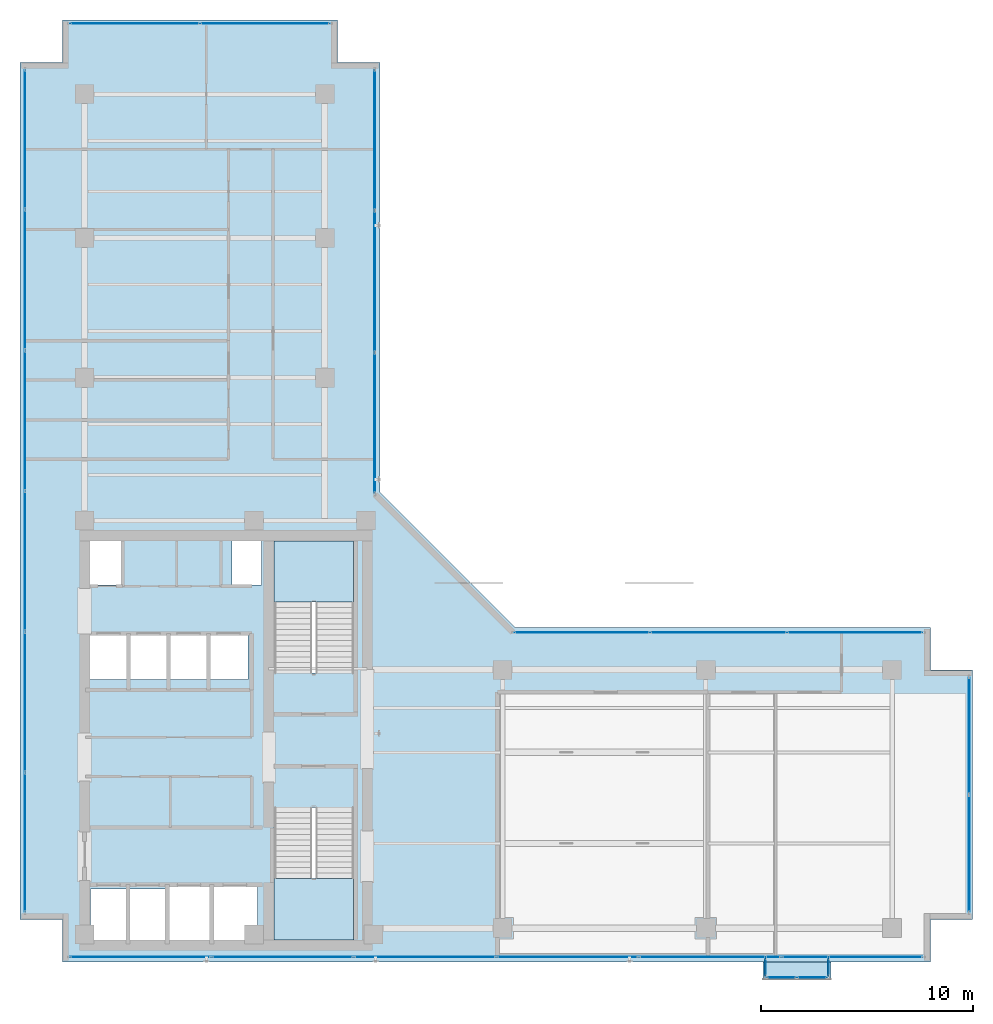
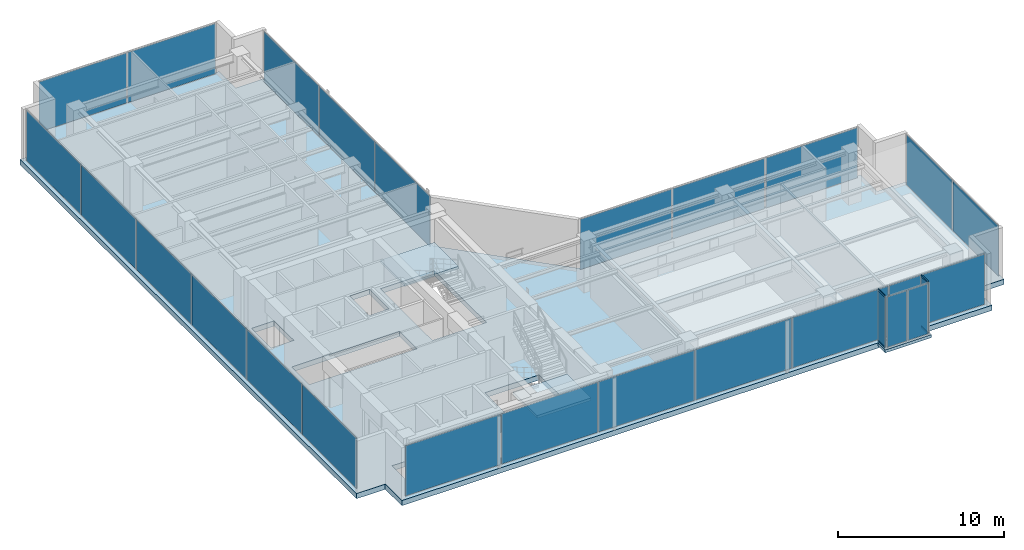
# One storey, part 24 of 32: 26 plates, 4 members, 4 slabs, 11 elements without a shape of their own.
"""IFC4 building model written with IfcOpenShell, lengths in metres."""

from ifc_helpers import new_model, si_unit, direction, frame, origin, origin_with_axes, origin_2d, place, context, subcontext, project, spatial, polyline, rectangle, hollow_rectangle, outline, extrude, source, transform, mapped, material, layer, layer_set, material_profile, profile_set, type_object, element, aggregate, save


model = new_model("IFC4")

# Units and contexts
model_context = context("Model", 3, precision=1e-05, world=origin(), true_north=direction((0.0, 1.0)))
body_context = subcontext(model_context, "Body", "Model", "MODEL_VIEW")
ifc_project = project(units=[si_unit("LENGTHUNIT", "METRE"), si_unit("AREAUNIT", "SQUARE_METRE"), si_unit("VOLUMEUNIT", "CUBIC_METRE"), si_unit("PLANEANGLEUNIT", "RADIAN"), si_unit("MASSUNIT", "GRAM", prefix="KILO")], contexts=[model_context])

# Site, building, storey
site_placement = place(None, origin())
site = spatial("IfcSite", under=ifc_project, at=site_placement, CompositionType="ELEMENT")
building_placement = place(site_placement, origin())
building = spatial("IfcBuilding", under=site, at=building_placement, Name="Kolvaren Waterfront Exchange", CompositionType="ELEMENT")
storey_placement = place(building_placement, frame((0.0, 0.0, 352.0)))
storey = spatial("IfcBuildingStorey", under=building, at=storey_placement, Name="L90", CompositionType="ELEMENT", Elevation=352.0)

# Curtain wall, members
ifc_material_1 = material(Name="Anodised bronze aluminium 6063-T6", Category="aluminium")
ifc_layer_1 = layer(ifc_material_1, 0.219970703125, Name="Anodised bronze aluminium 6063-T6")
ifc_layer_set_1 = layer_set([ifc_layer_1], Name="Anodised bronze aluminium 6063-T6")
curtain_wall_type_1 = type_object("IfcCurtainWallType", Name="ARC-CW-SYS3", PredefinedType="USERDEFINED", material=ifc_layer_set_1)
curtain_wall_1_placement = place(storey_placement, origin())
curtain_wall_1 = element("IfcCurtainWall", 1, at=curtain_wall_1_placement, inside=storey, type_object=curtain_wall_type_1, Name="L90 stick curtain wall CW3 (CW-L90-BOX-W)", ObjectType="STICK CURTAIN WALL", PredefinedType="USERDEFINED")
ifc_material_profile = material_profile(ifc_material_1, hollow_rectangle(XDim=0.06494140625, YDim=0.1298828125, WallThickness=0.00390625, at=origin_2d()), Name="ALU-TRN-130x65x4")
ifc_profile_set = profile_set([ifc_material_profile], Name="Anodised bronze aluminium 6063-T6")
member_type = type_object("IfcMemberType", Name="ARC-CWT-130", PredefinedType="USERDEFINED", material=ifc_profile_set)
shared_shape_1 = source(origin_with_axes(), body_context, "Body", "SweptSolid", [
    extrude(hollow_rectangle(XDim=0.06494140625, YDim=0.1298828125, WallThickness=0.00390625, at=origin_2d()), origin(), (0.0, 0.0, 1.0), 0.829833984375),
])
member_1_placement = place(storey_placement, frame((39.610107421875, 3.764892578125, 0.032470703125), z_axis=(0.0, -1.0, 0.0), x_axis=(1.0, 0.0, 0.0)))
member_1 = element("IfcMember", 2, at=member_1_placement, type_object=member_type, Name="CW3 transom 1.1", ObjectType="TRANSOM", PredefinedType="USERDEFINED", context=body_context, shape_type="MappedRepresentation", body=[
    mapped(shared_shape_1, transform((0.0, 0.0, 0.0), x_axis=(1.0, 0.0, 0.0), y_axis=(0.0, 1.0, 0.0), z_axis=(0.0, 0.0, 1.0), scale=1.0)),
])
member_2_placement = place(storey_placement, frame((39.610107421875, 3.764892578125, 3.78759765625), z_axis=(0.0, -1.0, 0.0), x_axis=(1.0, 0.0, 0.0)))
member_2 = element("IfcMember", 3, at=member_2_placement, type_object=member_type, Name="CW3 transom 1.2", ObjectType="TRANSOM", PredefinedType="USERDEFINED", context=body_context, shape_type="MappedRepresentation", body=[
    mapped(shared_shape_1, transform((0.0, 0.0, 0.0), x_axis=(1.0, 0.0, 0.0), y_axis=(0.0, 1.0, 0.0), z_axis=(0.0, 0.0, 1.0), scale=1.0)),
])

curtain_wall_2_placement = place(storey_placement, origin())
curtain_wall_2 = element("IfcCurtainWall", 4, at=curtain_wall_2_placement, inside=storey, type_object=curtain_wall_type_1, Name="L90 stick curtain wall CW3 (CW-L90-BOX-E)", ObjectType="STICK CURTAIN WALL", PredefinedType="USERDEFINED")
member_3_placement = place(storey_placement, frame((42.590087890625, 2.93505859375, 0.032470703125), z_axis=(0.0, 1.0, 0.0), x_axis=(-1.0, 0.0, 0.0)))
member_3 = element("IfcMember", 5, at=member_3_placement, type_object=member_type, Name="CW3 transom 1.1", ObjectType="TRANSOM", PredefinedType="USERDEFINED", context=body_context, shape_type="MappedRepresentation", body=[
    mapped(shared_shape_1, transform((0.0, 0.0, 0.0), x_axis=(1.0, 0.0, 0.0), y_axis=(0.0, 1.0, 0.0), z_axis=(0.0, 0.0, 1.0), scale=1.0)),
])
member_4_placement = place(storey_placement, frame((42.590087890625, 2.93505859375, 3.78759765625), z_axis=(0.0, 1.0, 0.0), x_axis=(-1.0, 0.0, 0.0)))
member_4 = element("IfcMember", 6, at=member_4_placement, type_object=member_type, Name="CW3 transom 1.2", ObjectType="TRANSOM", PredefinedType="USERDEFINED", context=body_context, shape_type="MappedRepresentation", body=[
    mapped(shared_shape_1, transform((0.0, 0.0, 0.0), x_axis=(1.0, 0.0, 0.0), y_axis=(0.0, 1.0, 0.0), z_axis=(0.0, 0.0, 1.0), scale=1.0)),
])

# Stair, slab
ifc_material_2 = material(Name="Concrete C40/50", Category="concrete")
stair_type = type_object("IfcStairType", Name="ARC-STAIR-4200", PredefinedType="HALF_TURN_STAIR", material=ifc_material_2)
stair_1_placement = place(storey_placement, origin())
stair_1 = element("IfcStair", 7, at=stair_1_placement, inside=storey, type_object=stair_type, Name="L90 Smoke-proof exit stair ST1", PredefinedType="HALF_TURN_STAIR")
ifc_layer_2 = layer(ifc_material_2, 0.199951171875, Name="Concrete C40/50")
ifc_layer_set_2 = layer_set([ifc_layer_2], Name="Concrete C40/50")
slab_type_1 = type_object("IfcSlabType", Name="STR-LANDING-200", PredefinedType="LANDING", material=ifc_layer_set_2)
slab_1_placement = place(storey_placement, frame((0.0, 0.0, 1.89990234375)))
slab_1 = element("IfcSlab", 8, at=slab_1_placement, type_object=slab_type_1, Name="ST1 landing 1", PredefinedType="LANDING", context=body_context, shape_type="SweptSolid", body=[
    extrude(outline(polyline([(16.39990234375, 7.550048828125), (16.39990234375, 4.64990234375), (20.159912109375, 4.64990234375), (20.159912109375, 7.550048828125), (16.39990234375, 7.550048828125)])), origin(), (0.0, 0.0, 1.0), 0.2001953125),
])
aggregate(stair_1, [slab_1])

stair_2_placement = place(storey_placement, origin())
stair_2 = element("IfcStair", 9, at=stair_2_placement, inside=storey, type_object=stair_type, Name="L90 Smoke-proof exit stair ST2", PredefinedType="HALF_TURN_STAIR")
slab_2_placement = place(storey_placement, frame((0.0, 0.0, 1.89990234375)))
slab_2 = element("IfcSlab", 10, at=slab_2_placement, type_object=slab_type_1, Name="ST2 landing 1", PredefinedType="LANDING", context=body_context, shape_type="SweptSolid", body=[
    extrude(outline(polyline([(20.159912109375, 20.60009765625), (20.159912109375, 23.5), (16.39990234375, 23.5), (16.39990234375, 20.60009765625), (20.159912109375, 20.60009765625)])), origin(), (0.0, 0.0, 1.0), 0.2001953125),
])
aggregate(stair_2, [slab_2])

# Slabs
ifc_layer_3 = layer(ifc_material_2, 0.3798828125, Name="Concrete C40/50")
ifc_layer_set_3 = layer_set([ifc_layer_3], Name="Concrete C40/50")
slab_type_2 = type_object("IfcSlabType", Name="STR-SLAB-380", PredefinedType="FLOOR", material=ifc_layer_set_3)
slab_3_placement = place(storey_placement, frame((0.0, 0.0, -0.3798828125)))
element("IfcSlab", 11, at=slab_3_placement, inside=storey, type_object=slab_type_2, Name="L90 structural floor slab", PredefinedType="FLOOR", context=body_context, shape_type="SweptSolid", body=[
    extrude(outline(polyline([(6.39990234375, 3.60009765625), (47.39990234375, 3.60009765625), (47.39990234375, 5.60009765625), (49.39990234375, 5.60009765625), (49.39990234375, 17.39990234375), (47.39990234375, 17.39990234375), (47.39990234375, 19.39990234375), (27.800048828125, 19.39990234375), (21.39990234375, 25.800048828125), (21.39990234375, 46.10009765625), (19.39990234375, 46.10009765625), (19.39990234375, 48.10009765625), (6.39990234375, 48.10009765625), (6.39990234375, 46.10009765625), (4.39990234375, 46.10009765625), (4.39990234375, 5.60009765625), (6.39990234375, 5.60009765625), (6.39990234375, 3.60009765625)]), holes=[polyline([(11.320068359375, 7.260009765625), (15.610107421875, 7.260009765625), (15.610107421875, 4.5400390625), (7.719970703125, 4.5400390625), (7.719970703125, 7.06005859375), (11.320068359375, 7.06005859375), (11.320068359375, 7.260009765625)]), polyline([(20.159912109375, 10.89990234375), (20.159912109375, 4.64990234375), (16.39990234375, 4.64990234375), (16.39990234375, 10.89990234375), (20.159912109375, 10.89990234375)]), polyline([(7.669921875, 19.06005859375), (15.159912109375, 19.06005859375), (15.159912109375, 16.93994140625), (7.669921875, 16.93994140625), (7.669921875, 19.06005859375)]), polyline([(16.39990234375, 17.25), (16.39990234375, 23.5), (20.159912109375, 23.5), (20.159912109375, 17.25), (16.39990234375, 17.25)]), polyline([(7.60009765625, 23.780029296875), (9.179931640625, 23.780029296875), (9.179931640625, 21.419921875), (7.60009765625, 21.419921875), (7.60009765625, 23.780029296875)]), polyline([(14.419921875, 23.780029296875), (15.800048828125, 23.780029296875), (15.800048828125, 21.419921875), (14.419921875, 21.419921875), (14.419921875, 23.780029296875)])]), origin(), (0.0, 0.0, 1.0), 0.3798828125),
])
ifc_layer_4 = layer(ifc_material_2, 0.219970703125, Name="Concrete C40/50")
ifc_layer_set_4 = layer_set([ifc_layer_4], Name="Concrete C40/50")
slab_type_3 = type_object("IfcSlabType", Name="STR-TERR-220", PredefinedType="FLOOR", material=ifc_layer_set_4)
slab_4_placement = place(storey_placement, frame((0.0, 0.0, -0.219970703125)))
element("IfcSlab", 12, at=slab_4_placement, inside=storey, type_object=slab_type_3, Name="L90 projecting bay-box floor strip", PredefinedType="FLOOR", context=body_context, shape_type="SweptSolid", body=[
    extrude(outline(polyline([(39.5, 2.75), (42.699951171875, 2.75), (42.699951171875, 3.60009765625), (39.5, 3.60009765625), (39.5, 2.75)])), origin(), (0.0, 0.0, 1.0), 0.219970703125),
])

# Plate
ifc_material_3 = material(Name="Bronze tinted bay-box vision glass", Category="aluminium")
ifc_layer_5 = layer(ifc_material_3, 0.02392578125, Name="Bronze tinted bay-box vision glass")
ifc_layer_set_5 = layer_set([ifc_layer_5], Name="Bronze tinted bay-box vision glass")
plate_type_1 = type_object("IfcPlateType", Name="ARC-CWP-24", PredefinedType="CURTAIN_PANEL", material=ifc_layer_set_5)
shared_shape_2 = source(origin_with_axes(), body_context, "Body", "SweptSolid", [
    extrude(rectangle(XDim=0.830078125, YDim=0.02392578125, at=origin_2d()), origin(), (0.0, 0.0, 1.0), 3.68994140625),
])
plate_1_placement = place(storey_placement, frame((39.610107421875, 3.35009765625, 0.06494140625), z_axis=(0.0, 0.0, 1.0), x_axis=(0.0, -1.0, 0.0)))
plate_1 = element("IfcPlate", 13, at=plate_1_placement, type_object=plate_type_1, Name="CW3 panel 1.1", PredefinedType="CURTAIN_PANEL", context=body_context, shape_type="MappedRepresentation", body=[
    mapped(shared_shape_2, transform((0.0, 0.0, 0.0), x_axis=(1.0, 0.0, 0.0), y_axis=(0.0, 1.0, 0.0), z_axis=(0.0, 0.0, 1.0), scale=1.0)),
])

aggregate(curtain_wall_1, [member_1, member_2, plate_1])

plate_2_placement = place(storey_placement, frame((42.590087890625, 3.35009765625, 0.06494140625), z_axis=(0.0, 0.0, 1.0), x_axis=(0.0, 1.0, 0.0)))
plate_2 = element("IfcPlate", 14, at=plate_2_placement, type_object=plate_type_1, Name="CW3 panel 1.1", PredefinedType="CURTAIN_PANEL", context=body_context, shape_type="MappedRepresentation", body=[
    mapped(shared_shape_2, transform((0.0, 0.0, 0.0), x_axis=(1.0, 0.0, 0.0), y_axis=(0.0, 1.0, 0.0), z_axis=(0.0, 0.0, 1.0), scale=1.0)),
])

aggregate(curtain_wall_2, [member_3, member_4, plate_2])

# Curtain wall, plates
curtain_wall_3_placement = place(storey_placement, origin())
curtain_wall_3 = element("IfcCurtainWall", 15, at=curtain_wall_3_placement, inside=storey, type_object=curtain_wall_type_1, Name="L90 stick curtain wall CW3 (CW-L90-BOX)", ObjectType="STICK CURTAIN WALL", PredefinedType="USERDEFINED")
shared_shape_3 = source(origin_with_axes(), body_context, "Body", "SweptSolid", [
    extrude(rectangle(XDim=1.37744140625, YDim=0.02392578125, at=origin_2d()), origin(), (0.0, 0.0, 1.0), 3.68994140625),
])
plate_3_placement = place(storey_placement, frame((40.373779296875, 2.860107421875, 0.06494140625), z_axis=(0.0, 0.0, 1.0), x_axis=(1.0, 0.0, 0.0)))
plate_3 = element("IfcPlate", 16, at=plate_3_placement, type_object=plate_type_1, Name="CW3 panel 1.1", PredefinedType="CURTAIN_PANEL", context=body_context, shape_type="MappedRepresentation", body=[
    mapped(shared_shape_3, transform((0.0, 0.0, 0.0), x_axis=(1.0, 0.0, 0.0), y_axis=(0.0, 1.0, 0.0), z_axis=(0.0, 0.0, 1.0), scale=1.0)),
])
plate_4_placement = place(storey_placement, frame((41.826171875, 2.860107421875, 0.06494140625), z_axis=(0.0, 0.0, 1.0), x_axis=(1.0, 0.0, 0.0)))
plate_4 = element("IfcPlate", 17, at=plate_4_placement, type_object=plate_type_1, Name="CW3 panel 2.1", PredefinedType="CURTAIN_PANEL", context=body_context, shape_type="MappedRepresentation", body=[
    mapped(shared_shape_3, transform((0.0, 0.0, 0.0), x_axis=(1.0, 0.0, 0.0), y_axis=(0.0, 1.0, 0.0), z_axis=(0.0, 0.0, 1.0), scale=1.0)),
])
aggregate(curtain_wall_3, [plate_3, plate_4])

ifc_layer_6 = layer(ifc_material_1, 0.219970703125, Name="Anodised bronze aluminium 6063-T6")
ifc_layer_set_6 = layer_set([ifc_layer_6], Name="Anodised bronze aluminium 6063-T6")
curtain_wall_type_2 = type_object("IfcCurtainWallType", Name="ARC-CW-SYS5", PredefinedType="USERDEFINED", material=ifc_layer_set_6)
curtain_wall_4_placement = place(storey_placement, origin())
curtain_wall_4 = element("IfcCurtainWall", 18, at=curtain_wall_4_placement, inside=storey, type_object=curtain_wall_type_2, Name="L90 stick curtain wall CW5 (CW-L90-S)", ObjectType="STICK CURTAIN WALL", PredefinedType="USERDEFINED")
ifc_material_4 = material(Name="Crown lantern clear solar glass", Category="glass")
ifc_layer_7 = layer(ifc_material_4, 0.030029296875, Name="Crown lantern clear solar glass")
ifc_layer_set_7 = layer_set([ifc_layer_7], Name="Crown lantern clear solar glass")
plate_type_2 = type_object("IfcPlateType", Name="ARC-CWP-30", PredefinedType="CURTAIN_PANEL", material=ifc_layer_set_7)
shared_shape_4 = source(origin_with_axes(), body_context, "Body", "SweptSolid", [
    extrude(rectangle(XDim=6.620849609375, YDim=0.030029296875, at=origin_2d()), origin(), (0.0, 0.0, 1.0), 3.68994140625),
])
plate_5_placement = place(storey_placement, frame((10.08544921875, 3.840087890625, 0.06494140625), z_axis=(0.0, 0.0, 1.0), x_axis=(1.0, 0.0, 0.0)))
plate_5 = element("IfcPlate", 19, at=plate_5_placement, type_object=plate_type_2, Name="CW5 panel 1.1", PredefinedType="CURTAIN_PANEL", context=body_context, shape_type="MappedRepresentation", body=[
    mapped(shared_shape_4, transform((0.0, 0.0, 0.0), x_axis=(1.0, 0.0, 0.0), y_axis=(0.0, 1.0, 0.0), z_axis=(0.0, 0.0, 1.0), scale=1.0)),
])
plate_6_placement = place(storey_placement, frame((43.714599609375, 3.840087890625, 0.06494140625), z_axis=(0.0, 0.0, 1.0), x_axis=(1.0, 0.0, 0.0)))
plate_6 = element("IfcPlate", 20, at=plate_6_placement, type_object=plate_type_2, Name="CW5 panel 6.1", PredefinedType="CURTAIN_PANEL", context=body_context, shape_type="MappedRepresentation", body=[
    mapped(shared_shape_4, transform((0.0, 0.0, 0.0), x_axis=(1.0, 0.0, 0.0), y_axis=(0.0, 1.0, 0.0), z_axis=(0.0, 0.0, 1.0), scale=1.0)),
])
shared_shape_5 = source(origin_with_axes(), body_context, "Body", "SweptSolid", [
    extrude(rectangle(XDim=6.658447265625, YDim=0.030029296875, at=origin_2d()), origin(), (0.0, 0.0, 1.0), 3.68994140625),
])
plate_7_placement = place(storey_placement, frame((16.800048828125, 3.840087890625, 0.06494140625), z_axis=(0.0, 0.0, 1.0), x_axis=(1.0, 0.0, 0.0)))
plate_7 = element("IfcPlate", 21, at=plate_7_placement, type_object=plate_type_2, Name="CW5 panel 2.1", PredefinedType="CURTAIN_PANEL", context=body_context, shape_type="MappedRepresentation", body=[
    mapped(shared_shape_5, transform((0.0, 0.0, 0.0), x_axis=(1.0, 0.0, 0.0), y_axis=(0.0, 1.0, 0.0), z_axis=(0.0, 0.0, 1.0), scale=1.0)),
])
plate_8_placement = place(storey_placement, frame((23.533447265625, 3.840087890625, 0.06494140625), z_axis=(0.0, 0.0, 1.0), x_axis=(1.0, 0.0, 0.0)))
plate_8 = element("IfcPlate", 22, at=plate_8_placement, type_object=plate_type_2, Name="CW5 panel 3.1", PredefinedType="CURTAIN_PANEL", context=body_context, shape_type="MappedRepresentation", body=[
    mapped(shared_shape_5, transform((0.0, 0.0, 0.0), x_axis=(1.0, 0.0, 0.0), y_axis=(0.0, 1.0, 0.0), z_axis=(0.0, 0.0, 1.0), scale=1.0)),
])
plate_9_placement = place(storey_placement, frame((30.2666015625, 3.840087890625, 0.06494140625), z_axis=(0.0, 0.0, 1.0), x_axis=(1.0, 0.0, 0.0)))
plate_9 = element("IfcPlate", 23, at=plate_9_placement, type_object=plate_type_2, Name="CW5 panel 4.1", PredefinedType="CURTAIN_PANEL", context=body_context, shape_type="MappedRepresentation", body=[
    mapped(shared_shape_5, transform((0.0, 0.0, 0.0), x_axis=(1.0, 0.0, 0.0), y_axis=(0.0, 1.0, 0.0), z_axis=(0.0, 0.0, 1.0), scale=1.0)),
])
plate_10_placement = place(storey_placement, frame((37.0, 3.840087890625, 0.06494140625), z_axis=(0.0, 0.0, 1.0), x_axis=(1.0, 0.0, 0.0)))
plate_10 = element("IfcPlate", 24, at=plate_10_placement, type_object=plate_type_2, Name="CW5 panel 5.1", PredefinedType="CURTAIN_PANEL", context=body_context, shape_type="MappedRepresentation", body=[
    mapped(shared_shape_5, transform((0.0, 0.0, 0.0), x_axis=(1.0, 0.0, 0.0), y_axis=(0.0, 1.0, 0.0), z_axis=(0.0, 0.0, 1.0), scale=1.0)),
])
aggregate(curtain_wall_4, [plate_5, plate_7, plate_8, plate_9, plate_10, plate_6])

curtain_wall_5_placement = place(storey_placement, origin())
curtain_wall_5 = element("IfcCurtainWall", 25, at=curtain_wall_5_placement, inside=storey, type_object=curtain_wall_type_2, Name="L90 stick curtain wall CW5 (CW-L90-W)", ObjectType="STICK CURTAIN WALL", PredefinedType="USERDEFINED")
shared_shape_6 = source(origin_with_axes(), body_context, "Body", "SweptSolid", [
    extrude(rectangle(XDim=6.53759765625, YDim=0.030029296875, at=origin_2d()), origin(), (0.0, 0.0, 1.0), 3.68994140625),
])
plate_11_placement = place(storey_placement, frame((4.639892578125, 9.24365234375, 0.06494140625), z_axis=(0.0, 0.0, 1.0), x_axis=(0.0, 1.0, 0.0)))
plate_11 = element("IfcPlate", 26, at=plate_11_placement, type_object=plate_type_2, Name="CW5 panel 1.1", PredefinedType="CURTAIN_PANEL", context=body_context, shape_type="MappedRepresentation", body=[
    mapped(shared_shape_6, transform((0.0, 0.0, 0.0), x_axis=(1.0, 0.0, 0.0), y_axis=(0.0, 1.0, 0.0), z_axis=(0.0, 0.0, 1.0), scale=1.0)),
])
plate_12_placement = place(storey_placement, frame((4.639892578125, 42.456298828125, 0.06494140625), z_axis=(0.0, 0.0, 1.0), x_axis=(0.0, 1.0, 0.0)))
plate_12 = element("IfcPlate", 27, at=plate_12_placement, type_object=plate_type_2, Name="CW5 panel 6.1", PredefinedType="CURTAIN_PANEL", context=body_context, shape_type="MappedRepresentation", body=[
    mapped(shared_shape_6, transform((0.0, 0.0, 0.0), x_axis=(1.0, 0.0, 0.0), y_axis=(0.0, 1.0, 0.0), z_axis=(0.0, 0.0, 1.0), scale=1.0)),
])
shared_shape_7 = source(origin_with_axes(), body_context, "Body", "SweptSolid", [
    extrude(rectangle(XDim=6.574951171875, YDim=0.030029296875, at=origin_2d()), origin(), (0.0, 0.0, 1.0), 3.68994140625),
])
plate_13_placement = place(storey_placement, frame((4.639892578125, 15.875, 0.06494140625), z_axis=(0.0, 0.0, 1.0), x_axis=(0.0, 1.0, 0.0)))
plate_13 = element("IfcPlate", 28, at=plate_13_placement, type_object=plate_type_2, Name="CW5 panel 2.1", PredefinedType="CURTAIN_PANEL", context=body_context, shape_type="MappedRepresentation", body=[
    mapped(shared_shape_7, transform((0.0, 0.0, 0.0), x_axis=(1.0, 0.0, 0.0), y_axis=(0.0, 1.0, 0.0), z_axis=(0.0, 0.0, 1.0), scale=1.0)),
])
plate_14_placement = place(storey_placement, frame((4.639892578125, 22.52490234375, 0.06494140625), z_axis=(0.0, 0.0, 1.0), x_axis=(0.0, 1.0, 0.0)))
plate_14 = element("IfcPlate", 29, at=plate_14_placement, type_object=plate_type_2, Name="CW5 panel 3.1", PredefinedType="CURTAIN_PANEL", context=body_context, shape_type="MappedRepresentation", body=[
    mapped(shared_shape_7, transform((0.0, 0.0, 0.0), x_axis=(1.0, 0.0, 0.0), y_axis=(0.0, 1.0, 0.0), z_axis=(0.0, 0.0, 1.0), scale=1.0)),
])
plate_15_placement = place(storey_placement, frame((4.639892578125, 29.175048828125, 0.06494140625), z_axis=(0.0, 0.0, 1.0), x_axis=(0.0, 1.0, 0.0)))
plate_15 = element("IfcPlate", 30, at=plate_15_placement, type_object=plate_type_2, Name="CW5 panel 4.1", PredefinedType="CURTAIN_PANEL", context=body_context, shape_type="MappedRepresentation", body=[
    mapped(shared_shape_7, transform((0.0, 0.0, 0.0), x_axis=(1.0, 0.0, 0.0), y_axis=(0.0, 1.0, 0.0), z_axis=(0.0, 0.0, 1.0), scale=1.0)),
])
plate_16_placement = place(storey_placement, frame((4.639892578125, 35.824951171875, 0.06494140625), z_axis=(0.0, 0.0, 1.0), x_axis=(0.0, 1.0, 0.0)))
plate_16 = element("IfcPlate", 31, at=plate_16_placement, type_object=plate_type_2, Name="CW5 panel 5.1", PredefinedType="CURTAIN_PANEL", context=body_context, shape_type="MappedRepresentation", body=[
    mapped(shared_shape_7, transform((0.0, 0.0, 0.0), x_axis=(1.0, 0.0, 0.0), y_axis=(0.0, 1.0, 0.0), z_axis=(0.0, 0.0, 1.0), scale=1.0)),
])
aggregate(curtain_wall_5, [plate_11, plate_13, plate_14, plate_15, plate_16, plate_12])

curtain_wall_6_placement = place(storey_placement, origin())
curtain_wall_6 = element("IfcCurtainWall", 32, at=curtain_wall_6_placement, inside=storey, type_object=curtain_wall_type_2, Name="L90 stick curtain wall CW5 (CW-L90-NE)", ObjectType="STICK CURTAIN WALL", PredefinedType="USERDEFINED")
shared_shape_8 = source(origin_with_axes(), body_context, "Body", "SweptSolid", [
    extrude(rectangle(XDim=6.5908203125, YDim=0.030029296875, at=origin_2d()), origin(), (0.0, 0.0, 1.0), 3.68994140625),
])
plate_17_placement = place(storey_placement, frame((21.159912109375, 29.060302734375, 0.06494140625), z_axis=(0.0, 0.0, 1.0), x_axis=(0.0, 1.0, 0.0)))
plate_17 = element("IfcPlate", 33, at=plate_17_placement, type_object=plate_type_2, Name="CW5 panel 1.1", PredefinedType="CURTAIN_PANEL", context=body_context, shape_type="MappedRepresentation", body=[
    mapped(shared_shape_8, transform((0.0, 0.0, 0.0), x_axis=(1.0, 0.0, 0.0), y_axis=(0.0, 1.0, 0.0), z_axis=(0.0, 0.0, 1.0), scale=1.0)),
])
plate_18_placement = place(storey_placement, frame((21.159912109375, 42.4296875, 0.06494140625), z_axis=(0.0, 0.0, 1.0), x_axis=(0.0, 1.0, 0.0)))
plate_18 = element("IfcPlate", 34, at=plate_18_placement, type_object=plate_type_2, Name="CW5 panel 3.1", PredefinedType="CURTAIN_PANEL", context=body_context, shape_type="MappedRepresentation", body=[
    mapped(shared_shape_8, transform((0.0, 0.0, 0.0), x_axis=(1.0, 0.0, 0.0), y_axis=(0.0, 1.0, 0.0), z_axis=(0.0, 0.0, 1.0), scale=1.0)),
])
shared_shape_9 = source(origin_with_axes(), body_context, "Body", "SweptSolid", [
    extrude(rectangle(XDim=6.62841796875, YDim=0.030029296875, at=origin_2d()), origin(), (0.0, 0.0, 1.0), 3.68994140625),
])
plate_19_placement = place(storey_placement, frame((21.159912109375, 35.7451171875, 0.06494140625), z_axis=(0.0, 0.0, 1.0), x_axis=(0.0, 1.0, 0.0)))
plate_19 = element("IfcPlate", 35, at=plate_19_placement, type_object=plate_type_2, Name="CW5 panel 2.1", PredefinedType="CURTAIN_PANEL", context=body_context, shape_type="MappedRepresentation", body=[
    mapped(shared_shape_9, transform((0.0, 0.0, 0.0), x_axis=(1.0, 0.0, 0.0), y_axis=(0.0, 1.0, 0.0), z_axis=(0.0, 0.0, 1.0), scale=1.0)),
])
aggregate(curtain_wall_6, [plate_17, plate_19, plate_18])

curtain_wall_7_placement = place(storey_placement, origin())
curtain_wall_7 = element("IfcCurtainWall", 36, at=curtain_wall_7_placement, inside=storey, type_object=curtain_wall_type_2, Name="L90 stick curtain wall CW5 (CW-L90-EN)", ObjectType="STICK CURTAIN WALL", PredefinedType="USERDEFINED")
shared_shape_10 = source(origin_with_axes(), body_context, "Body", "SweptSolid", [
    extrude(rectangle(XDim=6.357421875, YDim=0.030029296875, at=origin_2d()), origin(), (0.0, 0.0, 1.0), 3.68994140625),
])
plate_20_placement = place(storey_placement, frame((30.94384765625, 19.159912109375, 0.06494140625), z_axis=(0.0, 0.0, 1.0), x_axis=(1.0, 0.0, 0.0)))
plate_20 = element("IfcPlate", 37, at=plate_20_placement, type_object=plate_type_2, Name="CW5 panel 1.1", PredefinedType="CURTAIN_PANEL", context=body_context, shape_type="MappedRepresentation", body=[
    mapped(shared_shape_10, transform((0.0, 0.0, 0.0), x_axis=(1.0, 0.0, 0.0), y_axis=(0.0, 1.0, 0.0), z_axis=(0.0, 0.0, 1.0), scale=1.0)),
])
plate_21_placement = place(storey_placement, frame((43.84619140625, 19.159912109375, 0.06494140625), z_axis=(0.0, 0.0, 1.0), x_axis=(1.0, 0.0, 0.0)))
plate_21 = element("IfcPlate", 38, at=plate_21_placement, type_object=plate_type_2, Name="CW5 panel 3.1", PredefinedType="CURTAIN_PANEL", context=body_context, shape_type="MappedRepresentation", body=[
    mapped(shared_shape_10, transform((0.0, 0.0, 0.0), x_axis=(1.0, 0.0, 0.0), y_axis=(0.0, 1.0, 0.0), z_axis=(0.0, 0.0, 1.0), scale=1.0)),
])
shared_shape_11 = source(origin_with_axes(), body_context, "Body", "SweptSolid", [
    extrude(rectangle(XDim=6.39501953125, YDim=0.030029296875, at=origin_2d()), origin(), (0.0, 0.0, 1.0), 3.68994140625),
])
plate_22_placement = place(storey_placement, frame((37.39501953125, 19.159912109375, 0.06494140625), z_axis=(0.0, 0.0, 1.0), x_axis=(1.0, 0.0, 0.0)))
plate_22 = element("IfcPlate", 39, at=plate_22_placement, type_object=plate_type_2, Name="CW5 panel 2.1", PredefinedType="CURTAIN_PANEL", context=body_context, shape_type="MappedRepresentation", body=[
    mapped(shared_shape_11, transform((0.0, 0.0, 0.0), x_axis=(1.0, 0.0, 0.0), y_axis=(0.0, 1.0, 0.0), z_axis=(0.0, 0.0, 1.0), scale=1.0)),
])
aggregate(curtain_wall_7, [plate_20, plate_22, plate_21])

curtain_wall_8_placement = place(storey_placement, origin())
curtain_wall_8 = element("IfcCurtainWall", 40, at=curtain_wall_8_placement, inside=storey, type_object=curtain_wall_type_2, Name="L90 stick curtain wall CW5 (CW-L90-ET)", ObjectType="STICK CURTAIN WALL", PredefinedType="USERDEFINED")
shared_shape_12 = source(origin_with_axes(), body_context, "Body", "SweptSolid", [
    extrude(rectangle(XDim=5.487548828125, YDim=0.030029296875, at=origin_2d()), origin(), (0.0, 0.0, 1.0), 3.68994140625),
])
plate_23_placement = place(storey_placement, frame((49.239990234375, 8.71875, 0.06494140625), z_axis=(0.0, 0.0, 1.0), x_axis=(0.0, 1.0, 0.0)))
plate_23 = element("IfcPlate", 41, at=plate_23_placement, type_object=plate_type_2, Name="CW5 panel 1.1", PredefinedType="CURTAIN_PANEL", context=body_context, shape_type="MappedRepresentation", body=[
    mapped(shared_shape_12, transform((0.0, 0.0, 0.0), x_axis=(1.0, 0.0, 0.0), y_axis=(0.0, 1.0, 0.0), z_axis=(0.0, 0.0, 1.0), scale=1.0)),
])
plate_24_placement = place(storey_placement, frame((49.239990234375, 14.28125, 0.06494140625), z_axis=(0.0, 0.0, 1.0), x_axis=(0.0, 1.0, 0.0)))
plate_24 = element("IfcPlate", 42, at=plate_24_placement, type_object=plate_type_2, Name="CW5 panel 2.1", PredefinedType="CURTAIN_PANEL", context=body_context, shape_type="MappedRepresentation", body=[
    mapped(shared_shape_12, transform((0.0, 0.0, 0.0), x_axis=(1.0, 0.0, 0.0), y_axis=(0.0, 1.0, 0.0), z_axis=(0.0, 0.0, 1.0), scale=1.0)),
])
aggregate(curtain_wall_8, [plate_23, plate_24])

curtain_wall_9_placement = place(storey_placement, origin())
curtain_wall_9 = element("IfcCurtainWall", 43, at=curtain_wall_9_placement, inside=storey, type_object=curtain_wall_type_2, Name="L90 stick curtain wall CW5 (CW-L90-NT)", ObjectType="STICK CURTAIN WALL", PredefinedType="USERDEFINED")
shared_shape_13 = source(origin_with_axes(), body_context, "Body", "SweptSolid", [
    extrude(rectangle(XDim=6.08740234375, YDim=0.030029296875, at=origin_2d()), origin(), (0.0, 0.0, 1.0), 3.68994140625),
])
plate_25_placement = place(storey_placement, frame((9.81884765625, 47.93994140625, 0.06494140625), z_axis=(0.0, 0.0, 1.0), x_axis=(1.0, 0.0, 0.0)))
plate_25 = element("IfcPlate", 44, at=plate_25_placement, type_object=plate_type_2, Name="CW5 panel 1.1", PredefinedType="CURTAIN_PANEL", context=body_context, shape_type="MappedRepresentation", body=[
    mapped(shared_shape_13, transform((0.0, 0.0, 0.0), x_axis=(1.0, 0.0, 0.0), y_axis=(0.0, 1.0, 0.0), z_axis=(0.0, 0.0, 1.0), scale=1.0)),
])
plate_26_placement = place(storey_placement, frame((15.981201171875, 47.93994140625, 0.06494140625), z_axis=(0.0, 0.0, 1.0), x_axis=(1.0, 0.0, 0.0)))
plate_26 = element("IfcPlate", 45, at=plate_26_placement, type_object=plate_type_2, Name="CW5 panel 2.1", PredefinedType="CURTAIN_PANEL", context=body_context, shape_type="MappedRepresentation", body=[
    mapped(shared_shape_13, transform((0.0, 0.0, 0.0), x_axis=(1.0, 0.0, 0.0), y_axis=(0.0, 1.0, 0.0), z_axis=(0.0, 0.0, 1.0), scale=1.0)),
])
aggregate(curtain_wall_9, [plate_25, plate_26])

save(model, "model.ifc")
